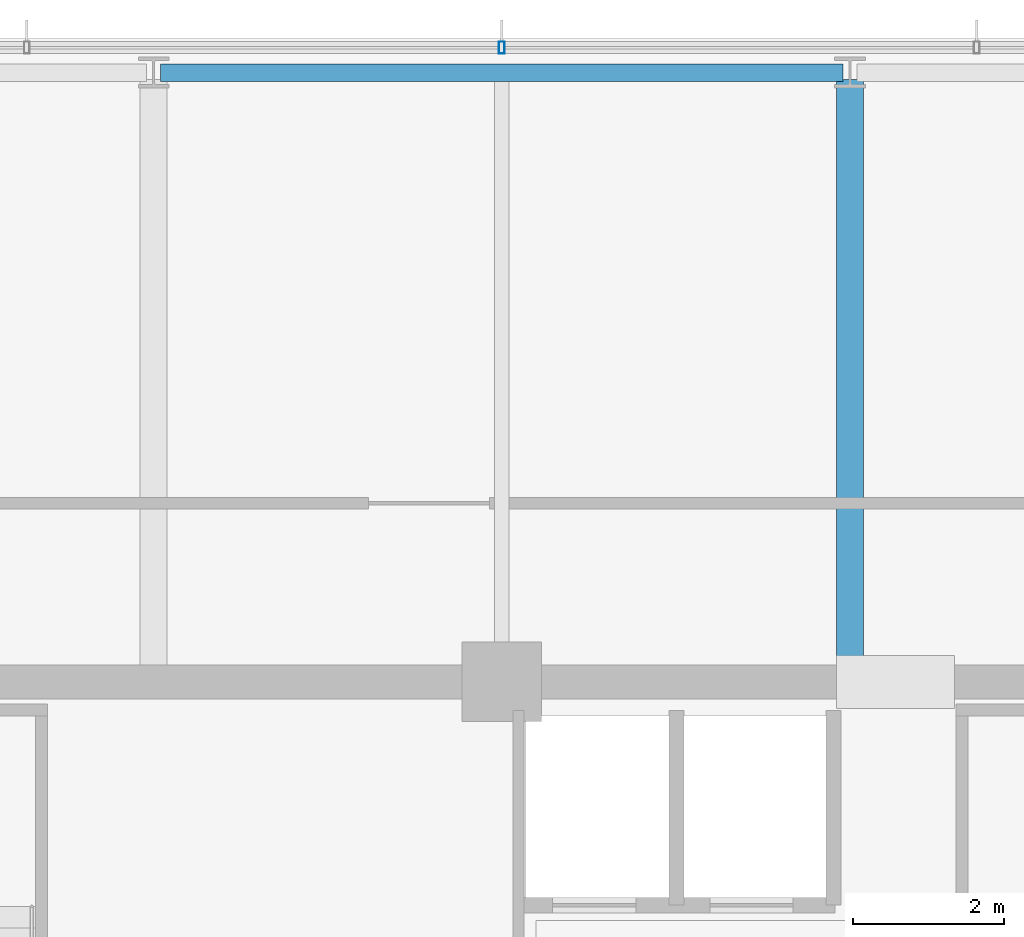
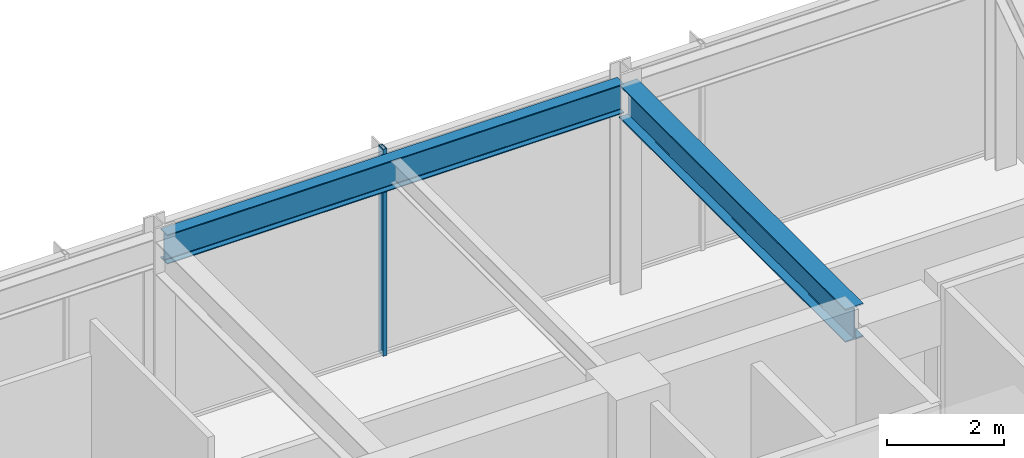
# One storey, part 17 of 30: 2 beams, 1 member, 1 element without a shape of its own.
"""IFC4 building model written with IfcOpenShell, lengths in metres."""

from ifc_helpers import new_model, si_unit, direction, frame, origin, origin_2d, place, context, subcontext, project, spatial, hollow_rectangle, i_section, extrude, material, material_profile, profile_set, type_object, element, aggregate, save


model = new_model("IFC4")

# Units and contexts
model_context = context("Model", 3, precision=1e-05, world=origin(), true_north=direction((0.0, 1.0)))
body_context = subcontext(model_context, "Body", "Model", "MODEL_VIEW")
ifc_project = project(units=[si_unit("LENGTHUNIT", "METRE"), si_unit("AREAUNIT", "SQUARE_METRE"), si_unit("VOLUMEUNIT", "CUBIC_METRE"), si_unit("PLANEANGLEUNIT", "RADIAN"), si_unit("MASSUNIT", "GRAM", prefix="KILO")], contexts=[model_context])

# Site, building, storey
site_placement = place(None, origin())
site = spatial("IfcSite", under=ifc_project, at=site_placement, CompositionType="ELEMENT")
building_placement = place(site_placement, origin())
building = spatial("IfcBuilding", under=site, at=building_placement, Name="Kolvaren Belvedere", CompositionType="ELEMENT")
storey_placement = place(building_placement, frame((0.0, 0.0, 262.800048828125)))
storey = spatial("IfcBuildingStorey", under=building, at=storey_placement, Name="L76", CompositionType="ELEMENT", Elevation=262.800048828125)

# Beams
ifc_material_1 = material(Name="Structural steel ASTM A992 Grade 50", Category="steel")
ifc_material_profile_1 = material_profile(ifc_material_1, i_section(OverallWidth=0.35498046875, OverallDepth=0.696044921875, WebThickness=0.015380859375, FlangeThickness=0.02490234375, FilletRadius=0.02197265625, at=origin_2d()), Name="W27X146")
ifc_profile_set_1 = profile_set([ifc_material_profile_1], Name="Structural steel ASTM A992 Grade 50")
beam_type_1 = type_object("IfcBeamType", Name="BM-GIRD-W27X146", PredefinedType="BEAM", material=ifc_profile_set_1)
beam_1_placement = place(storey_placement, frame((4.60009765625, 10.125, 3.971923828125), z_axis=(0.0, 1.0, 0.0), x_axis=(-1.0, 0.0, 0.0)))
element("IfcBeam", 1, at=beam_1_placement, inside=storey, type_object=beam_type_1, Name="L76 North Radial Girder P", PredefinedType="BEAM", context=body_context, shape_type="SweptSolid", body=[
    extrude(i_section(OverallWidth=0.35498046875, OverallDepth=0.696044921875, WebThickness=0.015380859375, FlangeThickness=0.02490234375, FilletRadius=0.02197265625, at=origin_2d()), origin(), (0.0, 0.0, 1.0), 7.7333984375),
])
ifc_material_2 = material(Name="Structural steel ASTM A992 Grade 50", Category="steel")
ifc_material_profile_2 = material_profile(ifc_material_2, i_section(OverallWidth=0.22900390625, OverallDepth=0.612060546875, WebThickness=0.011962890625, FlangeThickness=0.01953125, FilletRadius=0.01806640625, at=origin_2d()), Name="W24X84")
ifc_profile_set_2 = profile_set([ifc_material_profile_2], Name="Structural steel ASTM A992 Grade 50")
beam_type_2 = type_object("IfcBeamType", Name="BM-SPAN-W24X84", PredefinedType="SPANDREL", material=ifc_profile_set_2)
beam_2_placement = place(storey_placement, frame((4.50830078125, 17.949951171875, 4.013916015625), z_axis=(-1.0, 0.0, 0.0), x_axis=(0.0, -1.0, 0.0)))
element("IfcBeam", 2, at=beam_2_placement, inside=storey, type_object=beam_type_2, Name="L76 Perimeter Spandrel N3-N2", PredefinedType="SPANDREL", context=body_context, shape_type="SweptSolid", body=[
    extrude(i_section(OverallWidth=0.22900390625, OverallDepth=0.612060546875, WebThickness=0.011962890625, FlangeThickness=0.01953125, FilletRadius=0.01806640625, at=origin_2d()), origin(), (0.0, 0.0, 1.0), 9.0166015625),
])

# Curtain wall, member
ifc_material_3 = material(Name="Anodised pale-metal aluminium AA 6063-T6", Category="aluminium")
curtain_wall_type = type_object("IfcCurtainWallType", Name="CW-CRN-OBS", PredefinedType="NOTDEFINED", material=ifc_material_3)
curtain_wall_placement = place(storey_placement, origin())
curtain_wall = element("IfcCurtainWall", 3, at=curtain_wall_placement, inside=storey, type_object=curtain_wall_type, Name="L76 Unitised Curtain Wall FCW-L76-N", PredefinedType="NOTDEFINED")
ifc_material_4 = material(Name="Anodised pale-metal aluminium AA 6063-T6", Category="aluminium")
ifc_material_profile_3 = material_profile(ifc_material_4, hollow_rectangle(XDim=0.074951171875, YDim=0.159912109375, WallThickness=0.00439453125, at=origin_2d()), Name="ALU-MUL-160X75")
ifc_profile_set_3 = profile_set([ifc_material_profile_3], Name="Anodised pale-metal aluminium AA 6063-T6")
member_type = type_object("IfcMemberType", Name="CW-MUL-160", PredefinedType="MULLION", material=ifc_profile_set_3)
member_placement = place(storey_placement, frame((0.0, 18.280029296875, 0.0), z_axis=(0.0, 0.0, 1.0), x_axis=(1.0, 0.0, 0.0)))
member = element("IfcMember", 4, at=member_placement, type_object=member_type, Name="FCW-L76-N Unitised Mullion 3", PredefinedType="MULLION", context=body_context, shape_type="SweptSolid", body=[
    extrude(hollow_rectangle(XDim=0.074951171875, YDim=0.159912109375, WallThickness=0.00439453125, at=origin_2d()), origin(), (0.0, 0.0, 1.0), 4.320068359375),
])
aggregate(curtain_wall, [member])

save(model, "model.ifc")
